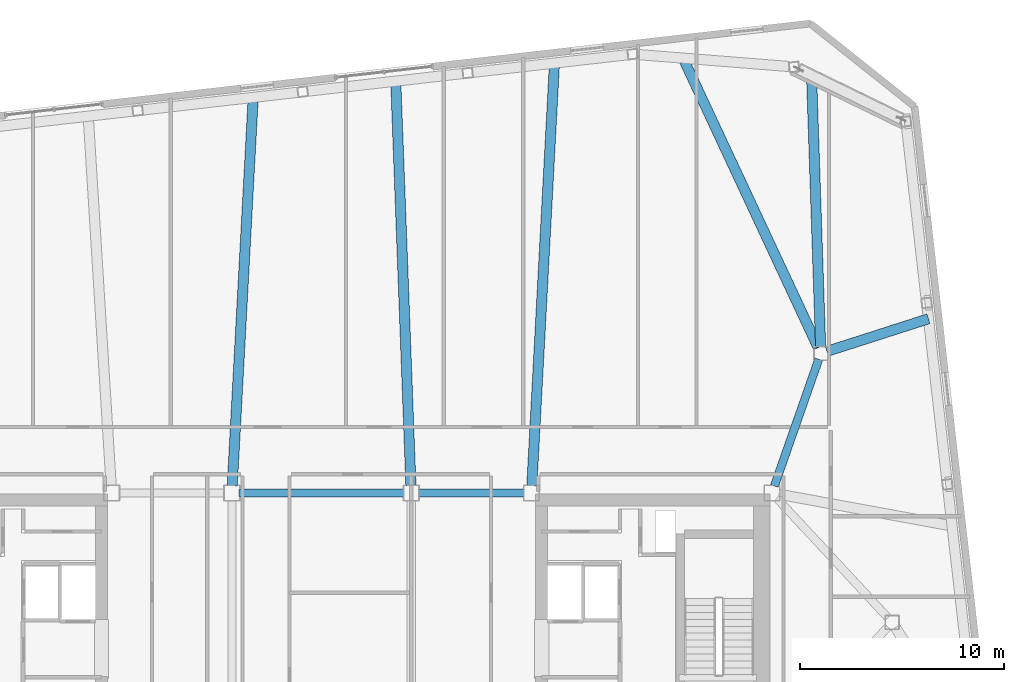
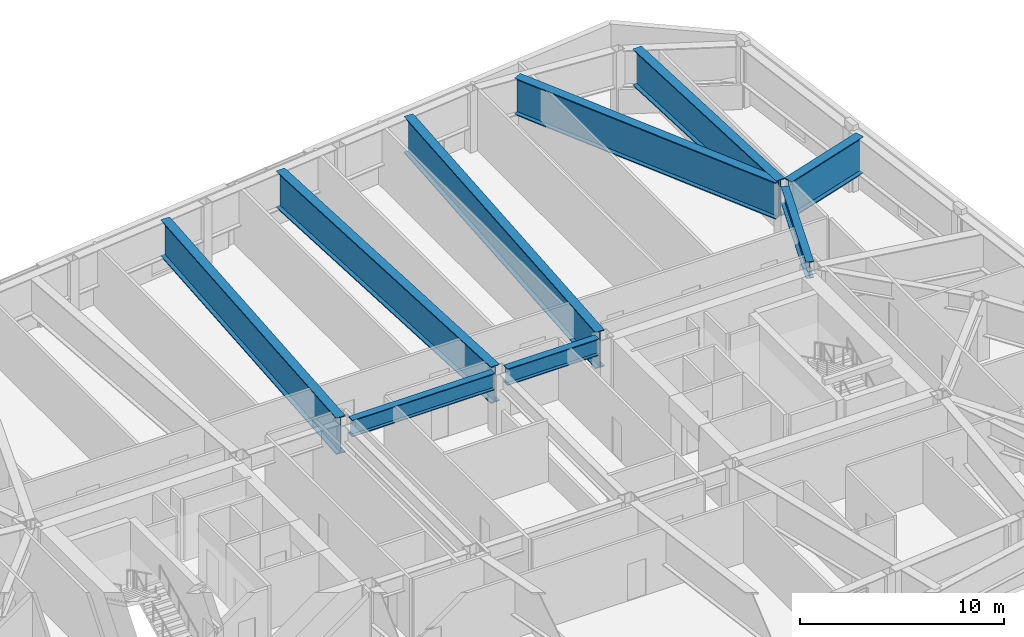
# One storey, part 9 of 18: 9 beams.
"""IFC4 building model written with IfcOpenShell, lengths in metres."""

from ifc_helpers import new_model, si_unit, direction, frame, origin, origin_2d, place, context, subcontext, project, spatial, i_section, extrude, material, material_profile, profile_set, type_object, element, save


model = new_model("IFC4")

# Units and contexts
model_context = context("Model", 3, precision=1e-05, world=origin(), true_north=direction((0.0, 1.0)))
body_context = subcontext(model_context, "Body", "Model", "MODEL_VIEW")
ifc_project = project(units=[si_unit("LENGTHUNIT", "METRE"), si_unit("AREAUNIT", "SQUARE_METRE"), si_unit("VOLUMEUNIT", "CUBIC_METRE"), si_unit("PLANEANGLEUNIT", "RADIAN"), si_unit("MASSUNIT", "GRAM", prefix="KILO")], contexts=[model_context])

# Site, building, storey
site_placement = place(None, origin())
site = spatial("IfcSite", under=ifc_project, at=site_placement, CompositionType="ELEMENT")
building_placement = place(site_placement, origin())
building = spatial("IfcBuilding", under=site, at=building_placement, Name="Tavrogorsk Clinical Tower", CompositionType="ELEMENT")
storey_placement = place(building_placement, frame((0.0, 0.0, 267.0)))
storey = spatial("IfcBuildingStorey", under=building, at=storey_placement, Name="L62", CompositionType="ELEMENT", Elevation=267.0)

# Beams
ifc_material_1 = material(Name="Structural steel S440", Category="steel")
ifc_material_profile_1 = material_profile(ifc_material_1, i_section(OverallWidth=0.39990234375, OverallDepth=1.0, WebThickness=0.028076171875, FlangeThickness=0.044921875, at=origin_2d()), Name="DK-1000x400x28x45")
ifc_profile_set_1 = profile_set([ifc_material_profile_1], Name="Structural steel S440")
beam_type_1 = type_object("IfcBeamType", Name="TransferGirder_DK1000", PredefinedType="USERDEFINED", material=ifc_profile_set_1)
beam_1_placement = place(storey_placement, frame((-4.0400390625, 6.35009765625, 3.179931640625), z_axis=(1.0, 0.0, 0.0), x_axis=(0.0, 1.0, 0.0)))
element("IfcBeam", 1, at=beam_1_placement, inside=storey, type_object=beam_type_1, Name="L62 Primary Spine Girder MG-04", ObjectType="GIRDER", PredefinedType="USERDEFINED", context=body_context, shape_type="SweptSolid", body=[
    extrude(i_section(OverallWidth=0.39990234375, OverallDepth=1.0, WebThickness=0.028076171875, FlangeThickness=0.044921875, at=origin_2d()), origin(), (0.0, 0.0, 1.0), 8.080078125),
])
beam_2_placement = place(storey_placement, frame((4.760009765625, 6.35009765625, 3.179931640625), z_axis=(1.0, 0.0, 0.0), x_axis=(0.0, 1.0, 0.0)))
element("IfcBeam", 2, at=beam_2_placement, inside=storey, type_object=beam_type_1, Name="L62 Primary Spine Girder MG-06", ObjectType="GIRDER", PredefinedType="USERDEFINED", context=body_context, shape_type="SweptSolid", body=[
    extrude(i_section(OverallWidth=0.39990234375, OverallDepth=1.0, WebThickness=0.028076171875, FlangeThickness=0.044921875, at=origin_2d()), origin(), (0.0, 0.0, 1.0), 5.179931640625),
])
beam_3_placement = place(storey_placement, frame((24.3974609375, 12.907470703125, 3.179931640625), z_axis=(-0.330654121425, -0.943752007672, 0.0), x_axis=(0.943752007672, -0.330654121425, 0.0)))
element("IfcBeam", 3, at=beam_3_placement, inside=storey, type_object=beam_type_1, Name="L62 Spine Link Girder OPG-4", ObjectType="GIRDER", PredefinedType="USERDEFINED", context=body_context, shape_type="SweptSolid", body=[
    extrude(i_section(OverallWidth=0.39990234375, OverallDepth=1.0, WebThickness=0.028076171875, FlangeThickness=0.044921875, at=origin_2d()), origin(), (0.0, 0.0, 1.0), 6.58837890625),
])
ifc_material_2 = material(Name="Structural steel S440", Category="steel")
ifc_material_profile_2 = material_profile(ifc_material_2, i_section(OverallWidth=0.5, OverallDepth=2.199951171875, WebThickness=0.035888671875, FlangeThickness=0.054931640625, at=origin_2d()), Name="DK-2200x500x36x55")
ifc_profile_set_2 = profile_set([ifc_material_profile_2], Name="Structural steel S440")
beam_type_2 = type_object("IfcBeamType", Name="TransferGirder_DK2200", PredefinedType="USERDEFINED", material=ifc_profile_set_2)
beam_4_placement = place(storey_placement, frame((24.368896484375, 13.48095703125, 2.580078125), z_axis=(-0.422927246439, 0.906163640972, 0.0), x_axis=(-0.906163640972, -0.422927246439, 0.0)))
element("IfcBeam", 4, at=beam_4_placement, inside=storey, type_object=beam_type_2, Name="L63 Block Transfer Girder N1", ObjectType="GIRDER", PredefinedType="USERDEFINED", context=body_context, shape_type="SweptSolid", body=[
    extrude(i_section(OverallWidth=0.5, OverallDepth=2.199951171875, WebThickness=0.035888671875, FlangeThickness=0.054931640625, at=origin_2d()), origin(), (0.0, 0.0, 1.0), 15.674560546875),
])
beam_5_placement = place(storey_placement, frame((10.3193359375, 6.70947265625, 2.580078125), z_axis=(0.053512308434, 0.998567189951, 0.0), x_axis=(-0.998567189951, 0.053512308434, 0.0)))
element("IfcBeam", 5, at=beam_5_placement, inside=storey, type_object=beam_type_2, Name="L63 Block Transfer Girder N2", ObjectType="GIRDER", PredefinedType="USERDEFINED", context=body_context, shape_type="SweptSolid", body=[
    extrude(i_section(OverallWidth=0.5, OverallDepth=2.199951171875, WebThickness=0.035888671875, FlangeThickness=0.054931640625, at=origin_2d()), origin(), (0.0, 0.0, 1.0), 20.76318359375),
])
beam_6_placement = place(storey_placement, frame((4.386474609375, 6.709716796875, 2.580078125), z_axis=(-0.037469977778, 0.999297753808, 0.0), x_axis=(-0.999297753808, -0.037469977778, 0.0)))
element("IfcBeam", 6, at=beam_6_placement, inside=storey, type_object=beam_type_2, Name="L63 Block Transfer Girder N3", ObjectType="GIRDER", PredefinedType="USERDEFINED", context=body_context, shape_type="SweptSolid", body=[
    extrude(i_section(OverallWidth=0.5, OverallDepth=2.199951171875, WebThickness=0.035888671875, FlangeThickness=0.054931640625, at=origin_2d()), origin(), (0.0, 0.0, 1.0), 19.859619140625),
])
beam_7_placement = place(storey_placement, frame((-4.380615234375, 6.70947265625, 2.580078125), z_axis=(0.053992846477, 0.998541322394, 0.0), x_axis=(-0.998541322394, 0.053992846477, 0.0)))
element("IfcBeam", 7, at=beam_7_placement, inside=storey, type_object=beam_type_2, Name="L63 Block Transfer Girder N4", ObjectType="GIRDER", PredefinedType="USERDEFINED", context=body_context, shape_type="SweptSolid", body=[
    extrude(i_section(OverallWidth=0.5, OverallDepth=2.199951171875, WebThickness=0.035888671875, FlangeThickness=0.054931640625, at=origin_2d()), origin(), (0.0, 0.0, 1.0), 19.0771484375),
])
beam_8_placement = place(storey_placement, frame((24.795166015625, 13.294677734375, 2.580078125), z_axis=(0.952140571464, 0.305660485134, 0.0), x_axis=(-0.305660485134, 0.952140571464, 0.0)))
element("IfcBeam", 8, at=beam_8_placement, inside=storey, type_object=beam_type_2, Name="L63 Block Transfer Girder E4", ObjectType="GIRDER", PredefinedType="USERDEFINED", context=body_context, shape_type="SweptSolid", body=[
    extrude(i_section(OverallWidth=0.5, OverallDepth=2.199951171875, WebThickness=0.035888671875, FlangeThickness=0.054931640625, at=origin_2d()), origin(), (0.0, 0.0, 1.0), 5.235595703125),
])
beam_9_placement = place(storey_placement, frame((24.48974609375, 13.509765625, 2.580078125), z_axis=(-0.033416033807, 0.999441528397, 0.0), x_axis=(-0.999441528397, -0.033416033807, 0.0)))
element("IfcBeam", 9, at=beam_9_placement, inside=storey, type_object=beam_type_2, Name="L63 Block Transfer Girder E5", ObjectType="GIRDER", PredefinedType="USERDEFINED", context=body_context, shape_type="SweptSolid", body=[
    extrude(i_section(OverallWidth=0.5, OverallDepth=2.199951171875, WebThickness=0.035888671875, FlangeThickness=0.054931640625, at=origin_2d()), origin(), (0.0, 0.0, 1.0), 13.333740234375),
])

save(model, "model.ifc")
